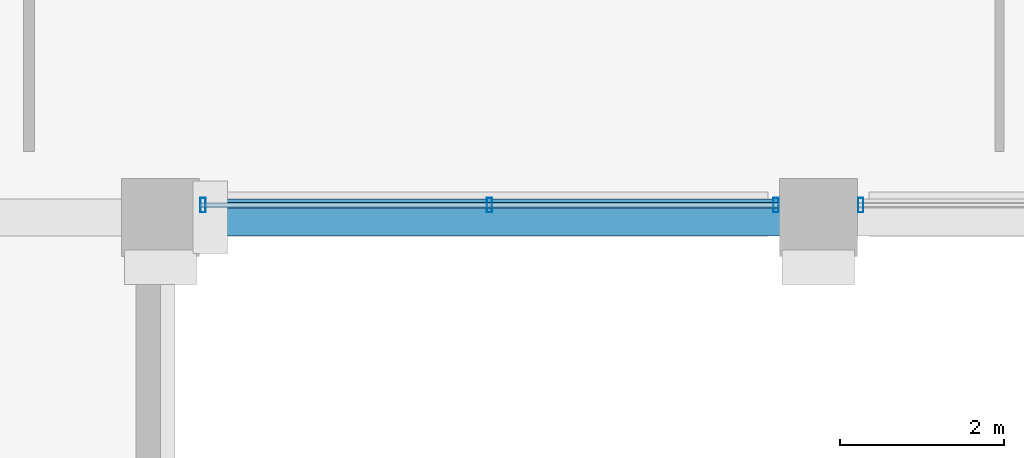
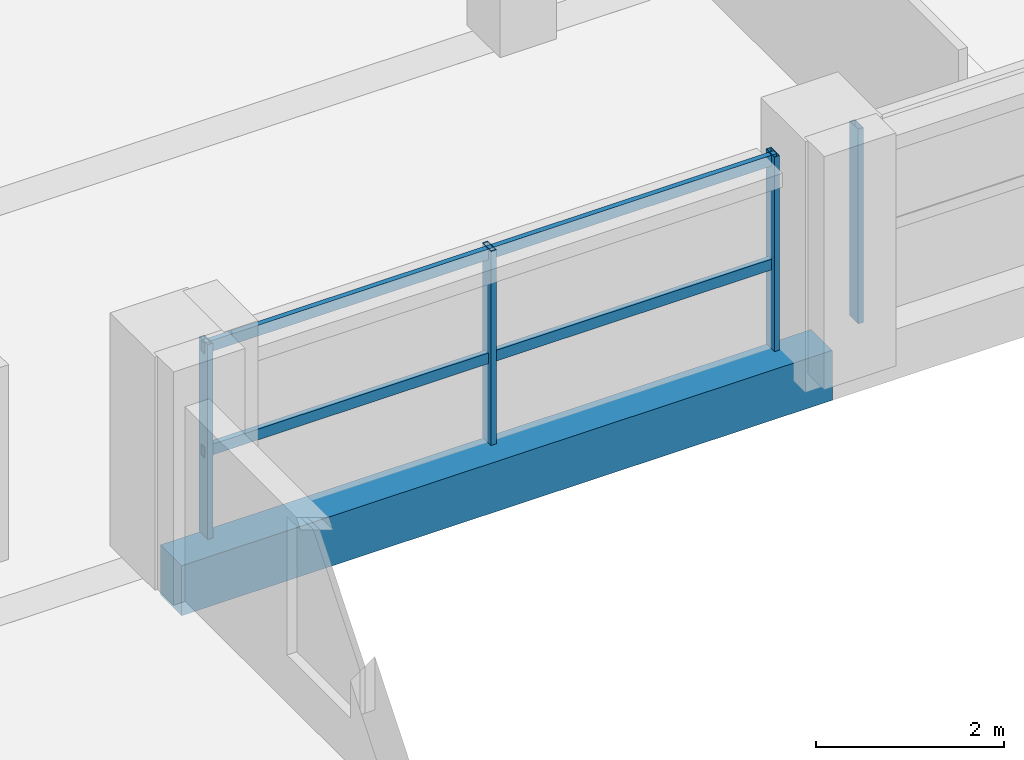
# One storey, part 4 of 25: 6 members, 1 beam, 2 elements without a shape of their own.
"""IFC4 building model written with IfcOpenShell, lengths in metres."""

from ifc_helpers import new_model, si_unit, direction, frame, origin, origin_2d, place, context, subcontext, project, spatial, rectangle, hollow_rectangle, extrude, material, material_profile, profile_set, type_object, element, aggregate, save


model = new_model("IFC4")

# Units and contexts
model_context = context("Model", 3, precision=1e-05, world=origin(), true_north=direction((0.0, 1.0)))
body_context = subcontext(model_context, "Body", "Model", "MODEL_VIEW")
ifc_project = project(units=[si_unit("LENGTHUNIT", "METRE"), si_unit("AREAUNIT", "SQUARE_METRE"), si_unit("VOLUMEUNIT", "CUBIC_METRE"), si_unit("PLANEANGLEUNIT", "RADIAN"), si_unit("MASSUNIT", "GRAM", prefix="KILO")], contexts=[model_context])

# Site, building, storey
site_placement = place(None, origin())
site = spatial("IfcSite", under=ifc_project, at=site_placement, CompositionType="ELEMENT")
building_placement = place(site_placement, origin())
building = spatial("IfcBuilding", under=site, at=building_placement, Name="Akrevak Sports Hall", CompositionType="ELEMENT")
storey_placement = place(building_placement, frame((0.0, 0.0, 50.300048828125)))
storey = spatial("IfcBuildingStorey", under=building, at=storey_placement, Name="L12", CompositionType="ELEMENT", Elevation=50.300048828125)

# Curtain wall, members
ifc_material_1 = material(Name="Anodized Bronze Aluminium & Low-E Glass", Category="aluminium")
curtain_wall_type = type_object("IfcCurtainWallType", Name="ARC-CW-TWR-72x30", PredefinedType="NOTDEFINED", material=ifc_material_1)
curtain_wall_1_placement = place(storey_placement, origin())
curtain_wall_1 = element("IfcCurtainWall", 1, at=curtain_wall_1_placement, inside=storey, type_object=curtain_wall_type, Name="Curtain Wall CW-L12-S04", PredefinedType="NOTDEFINED")
ifc_material_2 = material(Name="Anodized Bronze Aluminium", Category="aluminium")
ifc_material_profile_1 = material_profile(ifc_material_2, hollow_rectangle(XDim=0.06494140625, YDim=0.179931640625, WallThickness=0.00390625, at=origin_2d()), Name="CWM 65x180", Category="aluminium")
ifc_profile_set_1 = profile_set([ifc_material_profile_1], Name="Anodized Bronze Aluminium")
member_type_1 = type_object("IfcMemberType", Name="ARC-CWM-65x140", PredefinedType="MULLION", material=ifc_profile_set_1)
member_1_placement = place(storey_placement, frame((68.514892578125, 28.949951171875, 0.0), z_axis=(0.0, 0.0, 1.0), x_axis=(1.0, 0.0, 0.0)))
member_1 = element("IfcMember", 2, at=member_1_placement, type_object=member_type_1, Name="Curtain Wall Mullion CW-L12-S04-M1", PredefinedType="MULLION", context=body_context, shape_type="SweptSolid", body=[
    extrude(hollow_rectangle(XDim=0.06494140625, YDim=0.179931640625, WallThickness=0.00390625, at=origin_2d()), origin(), (0.0, 0.0, 1.0), 2.530029296875),
])
member_2_placement = place(storey_placement, frame((72.0, 28.949951171875, 0.0), z_axis=(0.0, 0.0, 1.0), x_axis=(1.0, 0.0, 0.0)))
member_2 = element("IfcMember", 3, at=member_2_placement, type_object=member_type_1, Name="Curtain Wall Mullion CW-L12-S04-M2", PredefinedType="MULLION", context=body_context, shape_type="SweptSolid", body=[
    extrude(hollow_rectangle(XDim=0.06494140625, YDim=0.179931640625, WallThickness=0.00390625, at=origin_2d()), origin(), (0.0, 0.0, 1.0), 2.530029296875),
])
member_3_placement = place(storey_placement, frame((75.485107421875, 28.949951171875, 0.0), z_axis=(0.0, 0.0, 1.0), x_axis=(1.0, 0.0, 0.0)))
member_3 = element("IfcMember", 4, at=member_3_placement, type_object=member_type_1, Name="Curtain Wall Mullion CW-L12-S04-M3", PredefinedType="MULLION", context=body_context, shape_type="SweptSolid", body=[
    extrude(hollow_rectangle(XDim=0.06494140625, YDim=0.179931640625, WallThickness=0.00390625, at=origin_2d()), origin(), (0.0, 0.0, 1.0), 2.530029296875),
])

# Curtain wall, member
curtain_wall_2_placement = place(storey_placement, origin())
curtain_wall_2 = element("IfcCurtainWall", 5, at=curtain_wall_2_placement, inside=storey, type_object=curtain_wall_type, Name="Curtain Wall CW-L12-S05", PredefinedType="NOTDEFINED")
member_4_placement = place(storey_placement, frame((76.514892578125, 28.949951171875, 0.0), z_axis=(0.0, 0.0, 1.0), x_axis=(1.0, 0.0, 0.0)))
member_4 = element("IfcMember", 6, at=member_4_placement, type_object=member_type_1, Name="Curtain Wall Mullion CW-L12-S05-M1", PredefinedType="MULLION", context=body_context, shape_type="SweptSolid", body=[
    extrude(hollow_rectangle(XDim=0.06494140625, YDim=0.179931640625, WallThickness=0.00390625, at=origin_2d()), origin(), (0.0, 0.0, 1.0), 2.530029296875),
])
aggregate(curtain_wall_2, [member_4])

# Member
ifc_material_profile_2 = material_profile(ifc_material_2, hollow_rectangle(XDim=0.06494140625, YDim=0.139892578125, WallThickness=0.00390625, at=origin_2d()), Name="CWT 65x140", Category="aluminium")
ifc_profile_set_2 = profile_set([ifc_material_profile_2], Name="Anodized Bronze Aluminium")
member_type_2 = type_object("IfcMemberType", Name="ARC-CWT-65x110", PredefinedType="USERDEFINED", material=ifc_profile_set_2)
member_5_placement = place(storey_placement, frame((68.47509765625, 28.949951171875, 1.099853515625), z_axis=(1.0, 0.0, 0.0), x_axis=(0.0, 1.0, 0.0)))
member_5 = element("IfcMember", 7, at=member_5_placement, type_object=member_type_2, Name="Curtain Wall Transom CW-L12-S04-T1", ObjectType="TRANSOM", PredefinedType="USERDEFINED", context=body_context, shape_type="SweptSolid", body=[
    extrude(hollow_rectangle(XDim=0.06494140625, YDim=0.139892578125, WallThickness=0.00390625, at=origin_2d()), origin(), (0.0, 0.0, 1.0), 7.0498046875),
])

member_6_placement = place(storey_placement, frame((68.47509765625, 28.949951171875, 2.449951171875), z_axis=(1.0, 0.0, 0.0), x_axis=(0.0, 1.0, 0.0)))
member_6 = element("IfcMember", 8, at=member_6_placement, type_object=member_type_2, Name="Curtain Wall Transom CW-L12-S04-T2", ObjectType="TRANSOM", PredefinedType="USERDEFINED", context=body_context, shape_type="SweptSolid", body=[
    extrude(hollow_rectangle(XDim=0.06494140625, YDim=0.139892578125, WallThickness=0.00390625, at=origin_2d()), origin(), (0.0, 0.0, 1.0), 7.0498046875),
])

aggregate(curtain_wall_1, [member_1, member_2, member_3, member_5, member_6])

# Beam
ifc_material_3 = material(Name="Concrete C40/50", Category="concrete")
ifc_material_profile_3 = material_profile(ifc_material_3, rectangle(XDim=0.449951171875, YDim=0.64990234375, at=origin_2d()), Name="BM 450x650", Category="concrete")
ifc_profile_set_3 = profile_set([ifc_material_profile_3], Name="Concrete C40/50")
beam_type = type_object("IfcBeamType", Name="STR-BM-RC450x650", PredefinedType="BEAM", material=ifc_profile_set_3)
beam_placement = place(storey_placement, frame((68.0, 28.800048828125, -0.324951171875), z_axis=(1.0, 0.0, 0.0), x_axis=(0.0, 1.0, 0.0)))
element("IfcBeam", 9, at=beam_placement, inside=storey, type_object=beam_type, Name="Girder E/10-11 (L12)", PredefinedType="BEAM", context=body_context, shape_type="SweptSolid", body=[
    extrude(rectangle(XDim=0.449951171875, YDim=0.64990234375, at=origin_2d()), origin(), (0.0, 0.0, 1.0), 8.0),
])

save(model, "model.ifc")
